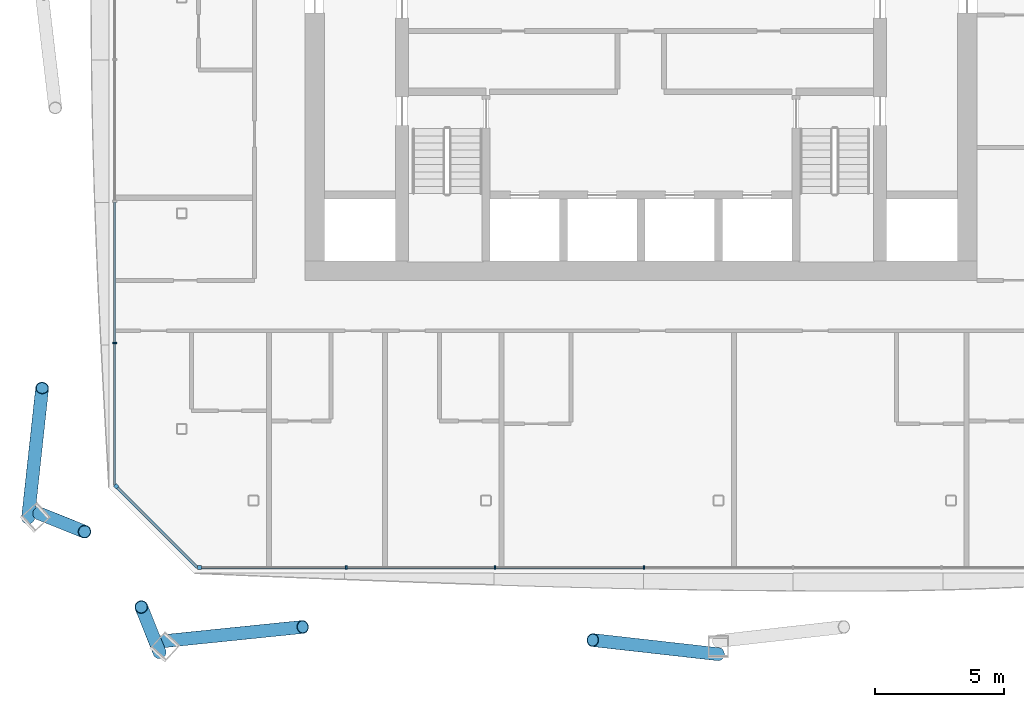
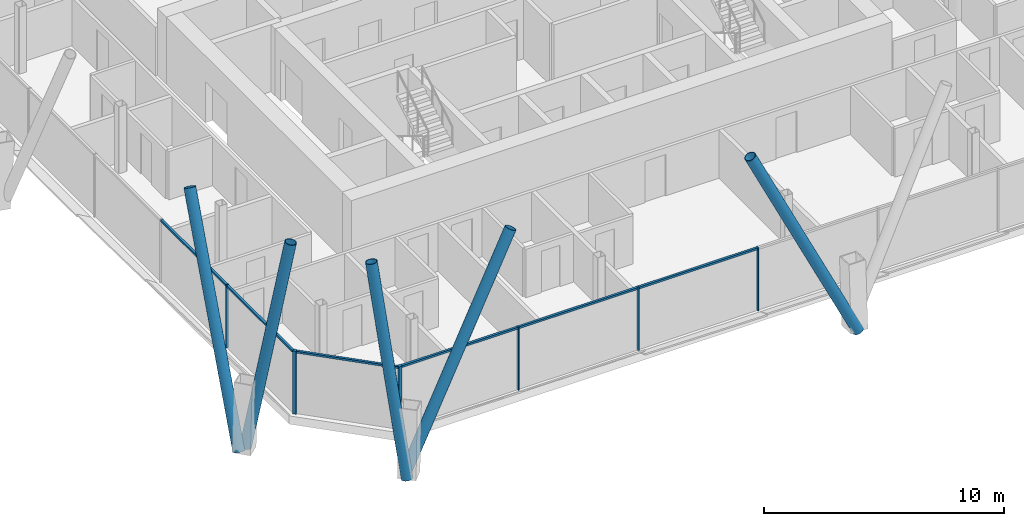
# One storey, part 4 of 22: 17 members, 3 elements without a shape of their own.
"""IFC4 building model written with IfcOpenShell, lengths in metres."""

import ifcopenshell
import ifcopenshell.guid

model = None  # the IFC model being written
_history = None  # IfcOwnerHistory: only IFC2X3 demands one
_inside = {}  # id of a spatial element -> (the spatial element, [elements in it])
_under = {}  # id of a project, library or spatial element -> (it, [spatial elements below it])
_declared = {}  # id of a project -> (the project, [libraries it declares])
_typed = {}  # id of a type object -> (the type object, [elements of that type])
_made_of = {}  # id of a material, layer set ... -> (it, [elements and type objects made of it])


def new_model(schema):
    """Start an empty IFC model of exactly this schema.

    Asked for "IFC4X3", IfcOpenShell would pick the latest addendum, in which some entities
    have other attributes; the version numbers below select the first issue.
    IFC2X3 requires an IfcOwnerHistory on every rooted entity: one is made here for all.
    """
    global model, _history
    if schema == "IFC4X3":
        model = ifcopenshell.file(schema_version=(4, 3, 0, 0))
    else:
        model = ifcopenshell.file(schema=schema)
    _inside.clear()
    _under.clear()
    _declared.clear()
    _typed.clear()
    _made_of.clear()
    _history = None
    if model.schema == "IFC2X3":
        org = make("IfcOrganization", Name="unknown")
        user = make(
            "IfcPersonAndOrganization",
            ThePerson=make("IfcPerson", FamilyName="unknown"),
            TheOrganization=org,
        )
        app = make(
            "IfcApplication",
            ApplicationDeveloper=org,
            Version="unknown",
            ApplicationFullName="unknown",
            ApplicationIdentifier="unknown",
        )
        _history = make(
            "IfcOwnerHistory",
            OwningUser=user,
            OwningApplication=app,
            ChangeAction="ADDED",
            CreationDate=0,
        )
    return model


def make(cls, **values):
    """One entity of the class cls with the attributes given. An attribute that is None is left unset."""
    return model.create_entity(
        cls, **{name: value for name, value in values.items() if value is not None}
    )


def rooted(cls, **values):
    """An entity with a GlobalId (a new one), such as an element, a storey or a relation."""
    return make(cls, GlobalId=ifcopenshell.guid.new(), OwnerHistory=_history, **values)


def si_unit(unit_type, name, prefix=None):
    """IfcSIUnit, for example si_unit("LENGTHUNIT", "METRE", prefix="MILLI")."""
    return make("IfcSIUnit", UnitType=unit_type, Prefix=prefix, Name=name)


def assignment(units):
    """IfcUnitAssignment: the units of a project."""
    return None if units is None else make("IfcUnitAssignment", Units=units)


def point(xyz):
    """IfcCartesianPoint."""
    return None if xyz is None else make("IfcCartesianPoint", Coordinates=xyz)


def direction(xyz):
    """IfcDirection."""
    return None if xyz is None else make("IfcDirection", DirectionRatios=xyz)


def frame(location, z_axis=None, x_axis=None):
    """IfcAxis2Placement3D, a coordinate frame: its origin and axes. An axis left out is left unset."""
    return make(
        "IfcAxis2Placement3D",
        Location=point(location),
        Axis=direction(z_axis),
        RefDirection=direction(x_axis),
    )


def frame_2d(location, x_axis=None):
    """IfcAxis2Placement2D, a coordinate frame in the plane: its origin and x axis."""
    return make(
        "IfcAxis2Placement2D", Location=point(location), RefDirection=direction(x_axis)
    )


def origin():
    """The frame at (0, 0, 0) with its axes left unset."""
    return frame((0.0, 0.0, 0.0))


def origin_2d():
    """The frame at (0, 0) in the plane with its x axis left unset."""
    return frame_2d((0.0, 0.0))


def place(relative_to, where):
    """IfcLocalPlacement: puts the frame where relative to a parent placement (None: the world)."""
    return make(
        "IfcLocalPlacement", PlacementRelTo=relative_to, RelativePlacement=where
    )


def context(
    kind, dimensions, precision=None, world=None, true_north=None, identifier=None
):
    """IfcGeometricRepresentationContext, for example the 3D "Model" context."""
    return make(
        "IfcGeometricRepresentationContext",
        ContextIdentifier=identifier,
        ContextType=kind,
        CoordinateSpaceDimension=dimensions,
        Precision=precision,
        WorldCoordinateSystem=world,
        TrueNorth=true_north,
    )


def subcontext(parent, identifier, kind, view, scale=None):
    """IfcGeometricRepresentationSubContext, for example "Body" below "Model"."""
    return make(
        "IfcGeometricRepresentationSubContext",
        ContextIdentifier=identifier,
        ContextType=kind,
        ParentContext=parent,
        TargetScale=scale,
        TargetView=view,
    )


def project(units=None, contexts=None):
    """IfcProject with its units and contexts."""
    return rooted(
        "IfcProject",
        Name="project",
        RepresentationContexts=contexts,
        UnitsInContext=assignment(units),
    )


def spatial(cls, under=None, at=None, **own):
    """A site, building, storey or space (cls), placed at a placement, below another one or the project."""
    s = rooted(cls, ObjectPlacement=at, **own)
    if under is not None:
        _under.setdefault(under.id(), (under, []))[1].append(s)
    return s


def profile(cls, at=None, kind="AREA", **sizes):
    """A parametric profile (cls). Its sizes go by their IFC names, for example OverallWidth=200.0."""
    return make(cls, ProfileType=kind, Position=at, **sizes)


def rectangle(**sizes):
    """IfcRectangleProfileDef."""
    return profile("IfcRectangleProfileDef", **sizes)


def hollow_circle(**sizes):
    """IfcCircleHollowProfileDef."""
    return profile("IfcCircleHollowProfileDef", **sizes)


def extrude(swept, where, along, depth):
    """IfcExtrudedAreaSolid: the profile swept, set in the frame where, extruded along a direction by depth."""
    return make(
        "IfcExtrudedAreaSolid",
        SweptArea=swept,
        Position=where,
        ExtrudedDirection=direction(along),
        Depth=depth,
    )


def shape(context_of_items, identifier, shape_type, items):
    """IfcShapeRepresentation: the items that make up one representation, for example the "Body"."""
    return make(
        "IfcShapeRepresentation",
        ContextOfItems=context_of_items,
        RepresentationIdentifier=identifier,
        RepresentationType=shape_type,
        Items=items,
    )


def material(Name=None, Category=None):
    """IfcMaterial."""
    return make("IfcMaterial", Name=Name, Category=Category)


def material_profile(
    of_material, cross_section, Name=None, Category=None, Priority=None
):
    """IfcMaterialProfile: a cross section and its material."""
    return make(
        "IfcMaterialProfile",
        Name=Name,
        Material=of_material,
        Profile=cross_section,
        Priority=Priority,
        Category=Category,
    )


def profile_set(profiles, Name=None, composite=None):
    """IfcMaterialProfileSet."""
    return make(
        "IfcMaterialProfileSet",
        Name=Name,
        MaterialProfiles=profiles,
        CompositeProfile=composite,
    )


def made_of(thing, what):
    """Note that an element or type object is made of a material, layer set ...; save() writes the relation."""
    if what is not None:
        _made_of.setdefault(what.id(), (what, []))[1].append(thing)
    return thing


def type_object(cls, material=None, **own):
    """A type object (cls), such as IfcWallType, which elements share."""
    return made_of(rooted(cls, **own), material)


def element(
    cls,
    number,
    at=None,
    inside=None,
    cuts=None,
    type_object=None,
    material=None,
    context=None,
    identifier="Body",
    shape_type=None,
    held_by="IfcProductDefinitionShape",
    body=None,
    shapes=None,
    **own,
):
    """One element of the class cls, such as IfcWall. Its Tag is "e" and its number.

    at: its placement. inside: the storey or other place that contains it. cuts: it is an
    opening in that element (IfcRelVoidsElement). A single representation is given by context,
    identifier, shape_type and body (its items); several are given by shapes. held_by: the class
    of the entity that holds the representations. save() writes the other relations.
    """
    e = rooted(cls, Tag="e%d" % number, ObjectPlacement=at, **own)
    if body is not None:
        shapes = [shape(context, identifier, shape_type, body)]
    if shapes is not None:
        e.Representation = make(held_by, Representations=shapes)
    if inside is not None:
        _inside.setdefault(inside.id(), (inside, []))[1].append(e)
    if cuts is not None:
        rooted(
            "IfcRelVoidsElement", RelatingBuildingElement=cuts, RelatedOpeningElement=e
        )
    if type_object is not None:
        _typed.setdefault(type_object.id(), (type_object, []))[1].append(e)
    return made_of(e, material)


def aggregate(whole, parts):
    """IfcRelAggregates: a whole, such as a stair, and the parts it consists of."""
    return rooted("IfcRelAggregates", RelatingObject=whole, RelatedObjects=parts)


def save(model, path):
    """Write the relations noted so far, then the file.

    IfcRelAggregates (storeys below a building ...), IfcRelContainedInSpatialStructure (elements
    in a storey), IfcRelDefinesByType, IfcRelAssociatesMaterial and IfcRelDeclares: one each for
    every whole, place, type object, material and project.
    """
    for whole, parts in _under.values():
        aggregate(whole, parts)
    for where, things in _inside.values():
        rooted(
            "IfcRelContainedInSpatialStructure",
            RelatedElements=things,
            RelatingStructure=where,
        )
    for kind, things in _typed.values():
        rooted("IfcRelDefinesByType", RelatedObjects=things, RelatingType=kind)
    for what, things in _made_of.values():
        rooted("IfcRelAssociatesMaterial", RelatedObjects=things, RelatingMaterial=what)
    for by, libraries in _declared.values():
        rooted("IfcRelDeclares", RelatingContext=by, RelatedDefinitions=libraries)
    model.write(path)


model = new_model("IFC4")

# Units and contexts
model_context = context("Model", 3, precision=1e-05, world=origin(), true_north=direction((0.0, 1.0)))
body_context = subcontext(model_context, "Body", "Model", "MODEL_VIEW")
ifc_project = project(units=[si_unit("LENGTHUNIT", "METRE"), si_unit("AREAUNIT", "SQUARE_METRE"), si_unit("VOLUMEUNIT", "CUBIC_METRE"), si_unit("PLANEANGLEUNIT", "RADIAN"), si_unit("MASSUNIT", "GRAM", prefix="KILO")], contexts=[model_context])

# Site, building, storey
site_placement = place(None, origin())
site = spatial("IfcSite", under=ifc_project, at=site_placement, CompositionType="ELEMENT")
building_placement = place(site_placement, origin())
building = spatial("IfcBuilding", under=site, at=building_placement, Name="Tskaro Facet Tower", CompositionType="ELEMENT")
storey_placement = place(building_placement, frame((0.0, 0.0, 121.5)))
storey = spatial("IfcBuildingStorey", under=building, at=storey_placement, Name="L28", CompositionType="ELEMENT", Elevation=121.5)

# Members
ifc_material_1 = material(Name="Steel S355J2H", Category="steel")
ifc_material_profile_1 = material_profile(ifc_material_1, hollow_circle(Radius=0.25390625, WallThickness=0.02490234375, at=origin_2d()), Name="CHS 508x25")
ifc_profile_set_1 = profile_set([ifc_material_profile_1], Name="Steel S355J2H")
member_type_1 = type_object("IfcMemberType", Name="CHS 508x25 brace", PredefinedType="BRACE", material=ifc_profile_set_1)
member_1_placement = place(storey_placement, frame((-18.450927734375, -26.212890625, 0.0), z_axis=(0.464841154479, 0.047466025198, 0.884120850085), x_axis=(-0.101584123416, 0.994826952726, 0.0)))
element("IfcMember", 1, at=member_1_placement, inside=storey, type_object=member_type_1, Name="CHS 508x25 XB01A/3", PredefinedType="BRACE", context=body_context, shape_type="SweptSolid", body=[
    extrude(hollow_circle(Radius=0.25390625, WallThickness=0.02490234375, at=origin_2d()), origin(), (0.0, 0.0, 1.0), 11.536865234375),
])
member_2_placement = place(storey_placement, frame((3.0, -26.720947265625, 0.0), z_axis=(-0.429820765287, 0.048405280742, 0.901615793187), x_axis=(-0.111909939557, -0.993718353171, 0.0)))
element("IfcMember", 2, at=member_2_placement, inside=storey, type_object=member_type_1, Name="CHS 508x25 XB01B/3", PredefinedType="BRACE", context=body_context, shape_type="SweptSolid", body=[
    extrude(hollow_circle(Radius=0.25390625, WallThickness=0.02490234375, at=origin_2d()), origin(), (0.0, 0.0, 1.0), 11.31298828125),
])
member_3_placement = place(storey_placement, frame((-23.720947265625, -21.450927734375, 0.0), z_axis=(0.048088139022, 0.442033548975, 0.895708586799), x_axis=(-0.99413454978, 0.108150344124, 0.0)))
element("IfcMember", 3, at=member_3_placement, inside=storey, type_object=member_type_1, Name="CHS 508x25 XB11B/3", PredefinedType="BRACE", context=body_context, shape_type="SweptSolid", body=[
    extrude(hollow_circle(Radius=0.25390625, WallThickness=0.02490234375, at=origin_2d()), origin(), (0.0, 0.0, 1.0), 11.3876953125),
])
for number, where, z_axis, x_axis, name in (
    (4, (-23.287353515625, -21.271484375, 0.0), (0.16909521018, -0.06806170464, 0.983246873504), (0.373393281193, 0.927673141554, 0.0), "CHS 508x25 XB12A/3"),
    (5, (-18.630615234375, -26.646484375, 0.0), (-0.068085130039, 0.169094939278, 0.983245298274), (-0.927628414184, -0.373504384444, 0.0), "CHS 508x25 XB12B/3"),
):
    element("IfcMember", number, at=place(storey_placement, frame(where, z_axis=z_axis, x_axis=x_axis)), inside=storey, type_object=member_type_1, Name=name, PredefinedType="BRACE", context=body_context, shape_type="SweptSolid", body=[
        extrude(hollow_circle(Radius=0.25390625, WallThickness=0.02490234375, at=origin_2d()), origin(), (0.0, 0.0, 1.0), 10.373779296875),
    ])

# Curtain wall, member
ifc_material_2 = material(Name="Bronze anodised aluminium 6063-T6", Category="aluminium")
curtain_wall_type = type_object("IfcCurtainWallType", Name="Bronze hotel curtain wall (FW2)", PredefinedType="NOTDEFINED", material=ifc_material_2)
curtain_wall_1_placement = place(storey_placement, origin())
curtain_wall_1 = element("IfcCurtainWall", 6, at=curtain_wall_1_placement, inside=storey, type_object=curtain_wall_type, Name="FW2 south facet L28", PredefinedType="NOTDEFINED")
ifc_material_profile_2 = material_profile(ifc_material_2, rectangle(XDim=0.14990234375, YDim=0.14990234375, at=origin_2d()), Name="Corner post 150x150")
ifc_profile_set_2 = profile_set([ifc_material_profile_2], Name="Bronze anodised aluminium 6063-T6")
member_type_2 = type_object("IfcMemberType", Name="FW2 bronze corner post 150x150", PredefinedType="MULLION", material=ifc_profile_set_2)
member_4_placement = place(storey_placement, frame((-17.091064453125, -23.366943359375, 0.0), z_axis=(0.0, 0.0, 1.0), x_axis=(1.0, 0.0, 0.0)))
member_4 = element("IfcMember", 7, at=member_4_placement, type_object=member_type_2, Name="FW2 south corner post", PredefinedType="MULLION", context=body_context, shape_type="SweptSolid", body=[
    extrude(rectangle(XDim=0.14990234375, YDim=0.14990234375, at=origin_2d()), origin(), (0.0, 0.0, 1.0), 3.199951171875),
])

curtain_wall_2_placement = place(storey_placement, origin())
curtain_wall_2 = element("IfcCurtainWall", 8, at=curtain_wall_2_placement, inside=storey, type_object=curtain_wall_type, Name="FW2 south-west facet L28", PredefinedType="NOTDEFINED")
member_5_placement = place(storey_placement, frame((-20.31396484375, -20.218994140625, 0.0), z_axis=(0.0, 0.0, 1.0), x_axis=(0.707106781187, -0.707106781187, 0.0)))
member_5 = element("IfcMember", 9, at=member_5_placement, type_object=member_type_2, Name="FW2 south-west corner post", PredefinedType="MULLION", context=body_context, shape_type="SweptSolid", body=[
    extrude(rectangle(XDim=0.14990234375, YDim=0.14990234375, at=origin_2d()), origin(), (0.0, 0.0, 1.0), 3.199951171875),
])

# Member
ifc_material_profile_3 = material_profile(ifc_material_2, rectangle(XDim=0.06005859375, YDim=0.14990234375, at=origin_2d()), Name="Mullion 60x150")
ifc_profile_set_3 = profile_set([ifc_material_profile_3], Name="Bronze anodised aluminium 6063-T6")
member_type_3 = type_object("IfcMemberType", Name="FW2 bronze mullion 60x150", PredefinedType="MULLION", material=ifc_profile_set_3)
member_6_placement = place(storey_placement, frame((-11.404296875, -23.366943359375, 0.0), z_axis=(0.0, 0.0, 1.0), x_axis=(1.0, 0.0, 0.0)))
member_6 = element("IfcMember", 10, at=member_6_placement, type_object=member_type_3, Name="FW2 south mullion 1", PredefinedType="MULLION", context=body_context, shape_type="SweptSolid", body=[
    extrude(rectangle(XDim=0.06005859375, YDim=0.14990234375, at=origin_2d()), origin(), (0.0, 0.0, 1.0), 3.199951171875),
])

member_7_placement = place(storey_placement, frame((-5.642578125, -23.366943359375, 0.0), z_axis=(0.0, 0.0, 1.0), x_axis=(1.0, 0.0, 0.0)))
member_7 = element("IfcMember", 11, at=member_7_placement, type_object=member_type_3, Name="FW2 south mullion 2", PredefinedType="MULLION", context=body_context, shape_type="SweptSolid", body=[
    extrude(rectangle(XDim=0.06005859375, YDim=0.14990234375, at=origin_2d()), origin(), (0.0, 0.0, 1.0), 3.199951171875),
])

member_8_placement = place(storey_placement, frame((0.119140625, -23.366943359375, 0.0), z_axis=(0.0, 0.0, 1.0), x_axis=(1.0, 0.0, 0.0)))
member_8 = element("IfcMember", 12, at=member_8_placement, type_object=member_type_3, Name="FW2 south mullion 3", PredefinedType="MULLION", context=body_context, shape_type="SweptSolid", body=[
    extrude(rectangle(XDim=0.06005859375, YDim=0.14990234375, at=origin_2d()), origin(), (0.0, 0.0, 1.0), 3.199951171875),
])

# Curtain wall, member
curtain_wall_3_placement = place(storey_placement, origin())
curtain_wall_3 = element("IfcCurtainWall", 13, at=curtain_wall_3_placement, inside=storey, type_object=curtain_wall_type, Name="FW2 west facet L28", PredefinedType="NOTDEFINED")
member_9_placement = place(storey_placement, frame((-20.366943359375, -14.677490234375, 0.0), z_axis=(0.0, 0.0, 1.0), x_axis=(0.0, -1.0, 0.0)))
member_9 = element("IfcMember", 14, at=member_9_placement, type_object=member_type_3, Name="FW2 west mullion 6", PredefinedType="MULLION", context=body_context, shape_type="SweptSolid", body=[
    extrude(rectangle(XDim=0.06005859375, YDim=0.14990234375, at=origin_2d()), origin(), (0.0, 0.0, 1.0), 3.199951171875),
])

# Member
ifc_material_profile_4 = material_profile(ifc_material_2, rectangle(XDim=0.110107421875, YDim=0.10009765625, at=origin_2d()), Name="Transom 110x100")
ifc_profile_set_4 = profile_set([ifc_material_profile_4], Name="Bronze anodised aluminium 6063-T6")
member_type_4 = type_object("IfcMemberType", Name="FW2 bronze transom 110x100", PredefinedType="USERDEFINED", material=ifc_profile_set_4)
member_10_placement = place(storey_placement, frame((-17.01611328125, -23.366943359375, 3.14990234375), z_axis=(1.0, 0.0, 0.0), x_axis=(0.0, 1.0, 0.0)))
member_10 = element("IfcMember", 15, at=member_10_placement, type_object=member_type_4, Name="FW2 south transom 1.1", ObjectType="TRANSOM", PredefinedType="USERDEFINED", context=body_context, shape_type="SweptSolid", body=[
    extrude(rectangle(XDim=0.110107421875, YDim=0.10009765625, at=origin_2d()), origin(), (0.0, 0.0, 1.0), 5.581787109375),
])

member_11_placement = place(storey_placement, frame((-11.374267578125, -23.366943359375, 3.14990234375), z_axis=(1.0, 0.0, 0.0), x_axis=(0.0, 1.0, 0.0)))
member_11 = element("IfcMember", 16, at=member_11_placement, type_object=member_type_4, Name="FW2 south transom 2.1", ObjectType="TRANSOM", PredefinedType="USERDEFINED", context=body_context, shape_type="SweptSolid", body=[
    extrude(rectangle(XDim=0.110107421875, YDim=0.10009765625, at=origin_2d()), origin(), (0.0, 0.0, 1.0), 5.70166015625),
])

member_12_placement = place(storey_placement, frame((-5.612548828125, -23.366943359375, 3.14990234375), z_axis=(1.0, 0.0, 0.0), x_axis=(0.0, 1.0, 0.0)))
member_12 = element("IfcMember", 17, at=member_12_placement, type_object=member_type_4, Name="FW2 south transom 3.1", ObjectType="TRANSOM", PredefinedType="USERDEFINED", context=body_context, shape_type="SweptSolid", body=[
    extrude(rectangle(XDim=0.110107421875, YDim=0.10009765625, at=origin_2d()), origin(), (0.0, 0.0, 1.0), 5.70166015625),
])

aggregate(curtain_wall_1, [member_4, member_6, member_7, member_8, member_10, member_11, member_12])

member_13_placement = place(storey_placement, frame((-20.366943359375, -9.21923828125, 3.14990234375), z_axis=(0.0, -1.0, 0.0), x_axis=(1.0, 0.0, 0.0)))
member_13 = element("IfcMember", 18, at=member_13_placement, type_object=member_type_4, Name="FW2 west transom 6.1", ObjectType="TRANSOM", PredefinedType="USERDEFINED", context=body_context, shape_type="SweptSolid", body=[
    extrude(rectangle(XDim=0.110107421875, YDim=0.10009765625, at=origin_2d()), origin(), (0.0, 0.0, 1.0), 5.42822265625),
])

member_14_placement = place(storey_placement, frame((-20.366943359375, -14.70751953125, 3.14990234375), z_axis=(0.0, -1.0, 0.0), x_axis=(1.0, 0.0, 0.0)))
member_14 = element("IfcMember", 19, at=member_14_placement, type_object=member_type_4, Name="FW2 west transom 7.1", ObjectType="TRANSOM", PredefinedType="USERDEFINED", context=body_context, shape_type="SweptSolid", body=[
    extrude(rectangle(XDim=0.110107421875, YDim=0.10009765625, at=origin_2d()), origin(), (0.0, 0.0, 1.0), 5.45849609375),
])

aggregate(curtain_wall_3, [member_9, member_13, member_14])

member_15_placement = place(storey_placement, frame((-20.260986328125, -20.27197265625, 3.14990234375), z_axis=(0.707106781187, -0.707106781187, 0.0), x_axis=(0.707106781187, 0.707106781187, 0.0)))
member_15 = element("IfcMember", 20, at=member_15_placement, type_object=member_type_4, Name="FW2 south-west transom 1.1", ObjectType="TRANSOM", PredefinedType="USERDEFINED", context=body_context, shape_type="SweptSolid", body=[
    extrude(rectangle(XDim=0.110107421875, YDim=0.10009765625, at=origin_2d()), origin(), (0.0, 0.0, 1.0), 4.376953125),
])

aggregate(curtain_wall_2, [member_5, member_15])

save(model, "model.ifc")
